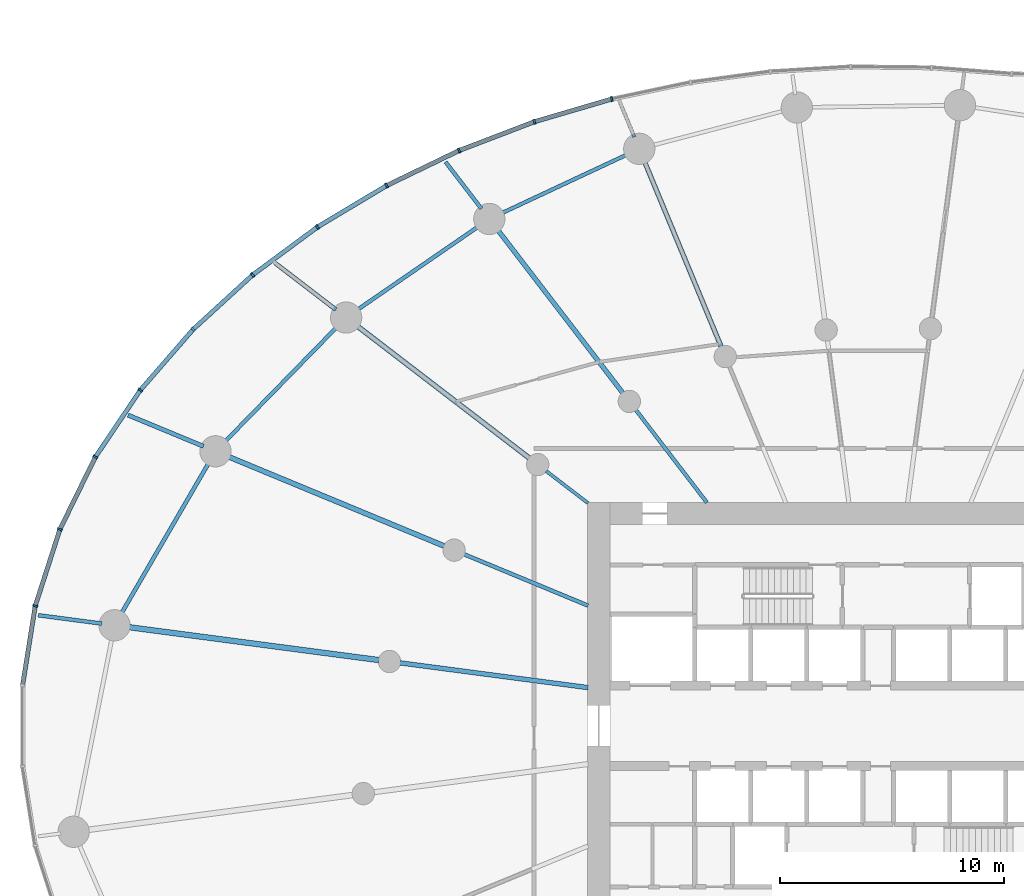
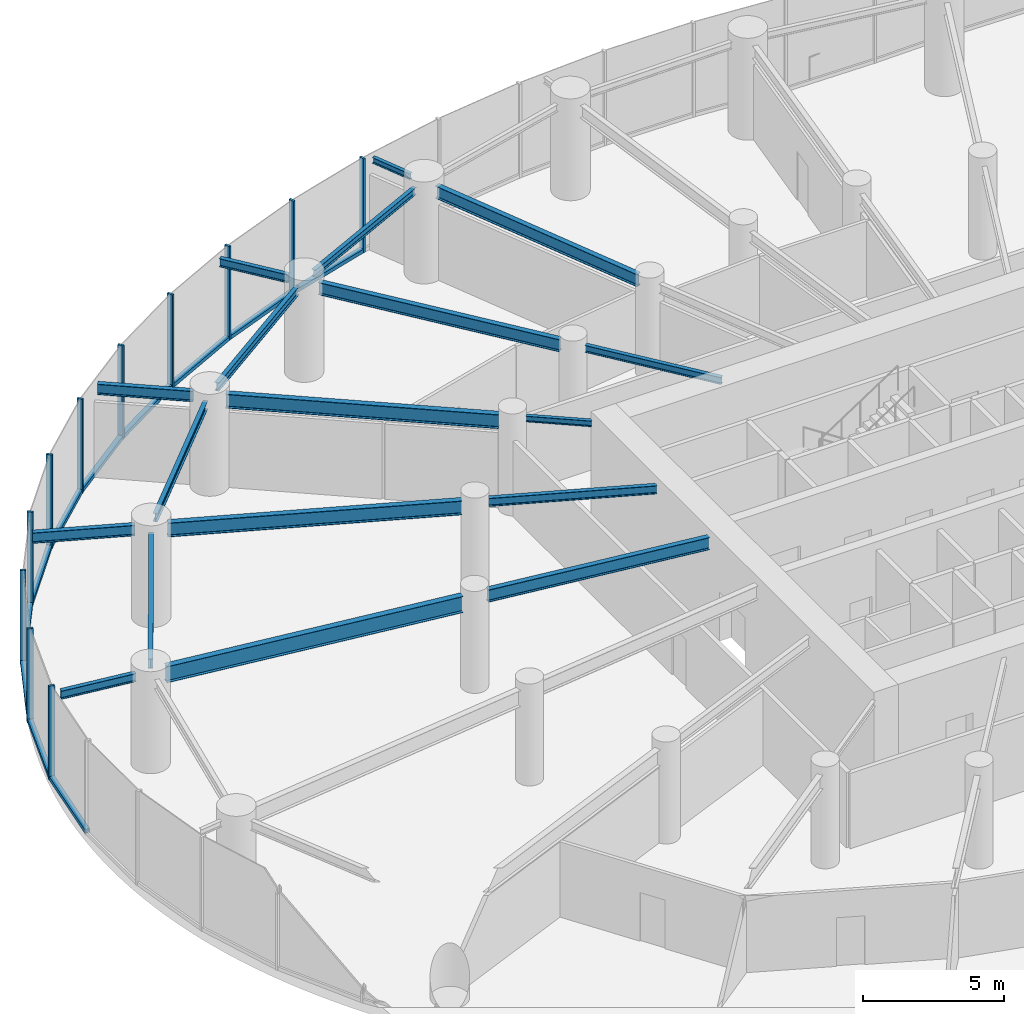
# One storey, part 4 of 19: 22 members, 18 beams, 3 elements without a shape of their own.
"""IFC4 building model written with IfcOpenShell, lengths in metres."""

from ifc_helpers import new_model, si_unit, direction, frame, origin, origin_2d, place, context, subcontext, project, spatial, rectangle, i_section, extrude, source, transform, mapped, material, layer, layer_set, material_profile, profile_set, type_object, element, aggregate, save


model = new_model("IFC4")

# Units and contexts
model_context = context("Model", 3, precision=1e-05, world=origin(), true_north=direction((0.0, 1.0)))
body_context = subcontext(model_context, "Body", "Model", "MODEL_VIEW")
ifc_project = project(units=[si_unit("LENGTHUNIT", "METRE"), si_unit("AREAUNIT", "SQUARE_METRE"), si_unit("VOLUMEUNIT", "CUBIC_METRE"), si_unit("PLANEANGLEUNIT", "RADIAN"), si_unit("MASSUNIT", "GRAM", prefix="KILO")], contexts=[model_context])

# Site, building, storey
site_placement = place(None, origin())
site = spatial("IfcSite", under=ifc_project, at=site_placement, CompositionType="ELEMENT")
building_placement = place(site_placement, origin())
building = spatial("IfcBuilding", under=site, at=building_placement, Name="Spindrift Exchange Tower", CompositionType="ELEMENT")
storey_placement = place(building_placement, frame((0.0, 0.0, 13.800048828125)))
storey = spatial("IfcBuildingStorey", under=building, at=storey_placement, Name="L03", CompositionType="ELEMENT", Elevation=13.800048828125)

# Beams
ifc_material_1 = material(Name="Steel Grade 300", Category="steel")
ifc_material_profile_1 = material_profile(ifc_material_1, i_section(OverallWidth=0.208984375, OverallDepth=0.532958984375, WebThickness=0.01025390625, FlangeThickness=0.015625, FilletRadius=0.013916015625, at=origin_2d()), Name="530UB92.4")
ifc_profile_set_1 = profile_set([ifc_material_profile_1], Name="Steel Grade 300")
beam_type_1 = type_object("IfcBeamType", Name="Floor Beam 530UB92.4 Steel Grade 300", PredefinedType="BEAM", material=ifc_profile_set_1)
shared_shape_1 = source(origin(), body_context, "Body", "SweptSolid", [
    extrude(i_section(OverallWidth=0.208984375, OverallDepth=0.532958984375, WebThickness=0.01025390625, FlangeThickness=0.015625, FilletRadius=0.013916015625, at=origin_2d()), origin(), (0.0, 0.0, 1.0), 8.99658203125),
])
beam_1_placement = place(storey_placement, frame((44.974609375, 64.9609375, 3.783447265625), z_axis=(-0.382685731718, 0.923878580085, 0.0), x_axis=(-0.923878580085, -0.382685731718, 0.0)))
element("IfcBeam", 1, at=beam_1_placement, inside=storey, type_object=beam_type_1, Name="L03 radial beam R08B", PredefinedType="BEAM", context=body_context, shape_type="MappedRepresentation", body=[
    mapped(shared_shape_1, transform((0.0, 0.0, 0.0), scale=1.0)),
])
ifc_material_profile_2 = material_profile(ifc_material_1, i_section(OverallWidth=0.14599609375, OverallDepth=0.251953125, WebThickness=0.006103515625, FlangeThickness=0.008544921875, FilletRadius=0.011962890625, at=origin_2d()), Name="250UB31.4")
ifc_profile_set_2 = profile_set([ifc_material_profile_2], Name="Steel Grade 300")
beam_type_2 = type_object("IfcBeamType", Name="Cantilever Beam 250UB31.4 Steel Grade 300", PredefinedType="BEAM", material=ifc_profile_set_2)
shared_shape_2 = source(origin(), body_context, "Body", "SweptSolid", [
    extrude(i_section(OverallWidth=0.14599609375, OverallDepth=0.251953125, WebThickness=0.006103515625, FlangeThickness=0.008544921875, FilletRadius=0.011962890625, at=origin_2d()), origin(), (0.0, 0.0, 1.0), 1.677978515625),
])
beam_2_placement = place(storey_placement, frame((41.087890625, 74.344482421875, 3.924072265625), z_axis=(-0.382775805905, 0.923841264728, 0.0), x_axis=(-0.923841264728, -0.382775805905, 0.0)))
element("IfcBeam", 2, at=beam_2_placement, inside=storey, type_object=beam_type_2, Name="L03 cantilever beam R08T", PredefinedType="BEAM", context=body_context, shape_type="MappedRepresentation", body=[
    mapped(shared_shape_2, transform((0.0, 0.0, 0.0), scale=1.0)),
])
ifc_material_profile_3 = material_profile(ifc_material_1, i_section(OverallWidth=0.1650390625, OverallDepth=0.303955078125, WebThickness=0.006103515625, FlangeThickness=0.01025390625, FilletRadius=0.011474609375, at=origin_2d()), Name="310UB40.4")
ifc_profile_set_3 = profile_set([ifc_material_profile_3], Name="Steel Grade 300")
beam_type_3 = type_object("IfcBeamType", Name="Floor Beam 310UB40.4 Steel Grade 300", PredefinedType="BEAM", material=ifc_profile_set_3)
shared_shape_3 = source(origin(), body_context, "Body", "SweptSolid", [
    extrude(i_section(OverallWidth=0.1650390625, OverallDepth=0.303955078125, WebThickness=0.006103515625, FlangeThickness=0.01025390625, FilletRadius=0.011474609375, at=origin_2d()), origin(), (0.0, 0.0, 1.0), 5.224609375),
])
beam_3_placement = place(storey_placement, frame((44.3388671875, 57.984130859375, 3.89794921875), z_axis=(-0.608741499316, 0.793368632485, 0.0), x_axis=(-0.793368632485, -0.608741499316, 0.0)))
element("IfcBeam", 3, at=beam_3_placement, inside=storey, type_object=beam_type_3, Name="L03 radial beam R09A", PredefinedType="BEAM", context=body_context, shape_type="MappedRepresentation", body=[
    mapped(shared_shape_3, transform((0.0, 0.0, 0.0), scale=1.0)),
])
shared_shape_4 = source(origin(), body_context, "Body", "SweptSolid", [
    extrude(i_section(OverallWidth=0.208984375, OverallDepth=0.532958984375, WebThickness=0.01025390625, FlangeThickness=0.015625, FilletRadius=0.013916015625, at=origin_2d()), origin(), (0.0, 0.0, 1.0), 9.227783203125),
])
beam_4_placement = place(storey_placement, frame((40.573974609375, 62.890625, 3.783447265625), z_axis=(-0.608747534474, 0.79336400175, 0.0), x_axis=(-0.79336400175, -0.608747534474, 0.0)))
element("IfcBeam", 4, at=beam_4_placement, inside=storey, type_object=beam_type_1, Name="L03 radial beam R09B", PredefinedType="BEAM", context=body_context, shape_type="MappedRepresentation", body=[
    mapped(shared_shape_4, transform((0.0, 0.0, 0.0), scale=1.0)),
])
ifc_material_profile_4 = material_profile(ifc_material_1, i_section(OverallWidth=0.14599609375, OverallDepth=0.251953125, WebThickness=0.006103515625, FlangeThickness=0.008544921875, FilletRadius=0.011962890625, at=origin_2d()), Name="250UB31.4")
ifc_profile_set_4 = profile_set([ifc_material_profile_4], Name="Steel Grade 300")
beam_type_4 = type_object("IfcBeamType", Name="Floor Beam 250UB31.4 Steel Grade 300", PredefinedType="BEAM", material=ifc_profile_set_4)
shared_shape_5 = source(origin(), body_context, "Body", "SweptSolid", [
    extrude(i_section(OverallWidth=0.14599609375, OverallDepth=0.251953125, WebThickness=0.006103515625, FlangeThickness=0.008544921875, FilletRadius=0.011962890625, at=origin_2d()), origin(), (0.0, 0.0, 1.0), 2.353759765625),
])
beam_5_placement = place(storey_placement, frame((39.015869140625, 57.963134765625, 3.924072265625), z_axis=(-0.793367573265, 0.608742879787, 0.0), x_axis=(-0.608742879787, -0.793367573265, 0.0)))
element("IfcBeam", 5, at=beam_5_placement, inside=storey, type_object=beam_type_4, Name="L03 radial beam R10A", PredefinedType="BEAM", context=body_context, shape_type="MappedRepresentation", body=[
    mapped(shared_shape_5, transform((0.0, 0.0, 0.0), scale=1.0)),
])
ifc_material_profile_5 = material_profile(ifc_material_1, i_section(OverallWidth=0.22802734375, OverallDepth=0.60693359375, WebThickness=0.01123046875, FlangeThickness=0.017333984375, FilletRadius=0.013916015625, at=origin_2d()), Name="610UB113")
ifc_profile_set_5 = profile_set([ifc_material_profile_5], Name="Steel Grade 300")
beam_type_5 = type_object("IfcBeamType", Name="Floor Beam 610UB113 Steel Grade 300", PredefinedType="BEAM", material=ifc_profile_set_5)
shared_shape_6 = source(origin(), body_context, "Body", "SweptSolid", [
    extrude(i_section(OverallWidth=0.22802734375, OverallDepth=0.60693359375, WebThickness=0.01123046875, FlangeThickness=0.017333984375, FilletRadius=0.013916015625, at=origin_2d()), origin(), (0.0, 0.0, 1.0), 9.73974609375),
])
beam_6_placement = place(storey_placement, frame((36.38671875, 59.98046875, 3.746337890625), z_axis=(-0.793352119621, 0.608763019814, 0.0), x_axis=(-0.608763019814, -0.793352119621, 0.0)))
element("IfcBeam", 6, at=beam_6_placement, inside=storey, type_object=beam_type_5, Name="L03 radial beam R10B", PredefinedType="BEAM", context=body_context, shape_type="MappedRepresentation", body=[
    mapped(shared_shape_6, transform((0.0, 0.0, 0.0), scale=1.0)),
])
ifc_material_profile_6 = material_profile(ifc_material_1, i_section(OverallWidth=0.172119140625, OverallDepth=0.35888671875, WebThickness=0.008056640625, FlangeThickness=0.012939453125, FilletRadius=0.013916015625, at=origin_2d()), Name="360UB56.7")
ifc_profile_set_6 = profile_set([ifc_material_profile_6], Name="Steel Grade 300")
beam_type_6 = type_object("IfcBeamType", Name="Floor Beam 360UB56.7 Steel Grade 300", PredefinedType="BEAM", material=ifc_profile_set_6)
shared_shape_7 = source(origin(), body_context, "Body", "SweptSolid", [
    extrude(i_section(OverallWidth=0.172119140625, OverallDepth=0.35888671875, WebThickness=0.008056640625, FlangeThickness=0.012939453125, FilletRadius=0.013916015625, at=origin_2d()), origin(), (0.0, 0.0, 1.0), 6.004638671875),
])
beam_7_placement = place(storey_placement, frame((39.0185546875, 53.377197265625, 3.870361328125), z_axis=(-0.923882044911, 0.38267736684, 0.0), x_axis=(-0.38267736684, -0.923882044911, 0.0)))
element("IfcBeam", 7, at=beam_7_placement, inside=storey, type_object=beam_type_6, Name="L03 radial beam R11A", PredefinedType="BEAM", context=body_context, shape_type="MappedRepresentation", body=[
    mapped(shared_shape_7, transform((0.0, 0.0, 0.0), scale=1.0)),
])
shared_shape_8 = source(origin(), body_context, "Body", "SweptSolid", [
    extrude(i_section(OverallWidth=0.22802734375, OverallDepth=0.60693359375, WebThickness=0.01123046875, FlangeThickness=0.017333984375, FilletRadius=0.013916015625, at=origin_2d()), origin(), (0.0, 0.0, 1.0), 10.4912109375),
])
beam_8_placement = place(storey_placement, frame((32.583984375, 56.04248046875, 3.746337890625), z_axis=(-0.923885231151, 0.382669674342, 0.0), x_axis=(-0.382669674342, -0.923885231151, 0.0)))
element("IfcBeam", 8, at=beam_8_placement, inside=storey, type_object=beam_type_5, Name="L03 radial beam R11B", PredefinedType="BEAM", context=body_context, shape_type="MappedRepresentation", body=[
    mapped(shared_shape_8, transform((0.0, 0.0, 0.0), scale=1.0)),
])
shared_shape_9 = source(origin(), body_context, "Body", "SweptSolid", [
    extrude(i_section(OverallWidth=0.208984375, OverallDepth=0.532958984375, WebThickness=0.01025390625, FlangeThickness=0.015625, FilletRadius=0.013916015625, at=origin_2d()), origin(), (0.0, 0.0, 1.0), 8.4794921875),
])
beam_9_placement = place(storey_placement, frame((39.019775390625, 49.708984375, 3.783447265625), z_axis=(-0.991446551951, 0.13051335037, 0.0), x_axis=(-0.13051335037, -0.991446551951, 0.0)))
element("IfcBeam", 9, at=beam_9_placement, inside=storey, type_object=beam_type_1, Name="L03 radial beam R12A", PredefinedType="BEAM", context=body_context, shape_type="MappedRepresentation", body=[
    mapped(shared_shape_9, transform((0.0, 0.0, 0.0), scale=1.0)),
])
ifc_material_profile_7 = material_profile(ifc_material_1, i_section(OverallWidth=0.25, OverallDepth=0.699951171875, WebThickness=0.008056640625, FlangeThickness=0.011962890625, at=origin_2d()), Name="700WB115")
ifc_profile_set_7 = profile_set([ifc_material_profile_7], Name="Steel Grade 300")
beam_type_7 = type_object("IfcBeamType", Name="Floor Beam 700WB115 Steel Grade 300", PredefinedType="BEAM", material=ifc_profile_set_7)
shared_shape_10 = source(origin(), body_context, "Body", "SweptSolid", [
    extrude(i_section(OverallWidth=0.25, OverallDepth=0.699951171875, WebThickness=0.008056640625, FlangeThickness=0.011962890625, at=origin_2d()), origin(), (0.0, 0.0, 1.0), 11.34423828125),
])
beam_10_placement = place(storey_placement, frame((29.660888671875, 50.94091796875, 3.699951171875), z_axis=(-0.991444770187, 0.130526884848, 0.0), x_axis=(-0.130526884848, -0.991444770187, 0.0)))
element("IfcBeam", 10, at=beam_10_placement, inside=storey, type_object=beam_type_7, Name="L03 radial beam R12B", PredefinedType="BEAM", context=body_context, shape_type="MappedRepresentation", body=[
    mapped(shared_shape_10, transform((0.0, 0.0, 0.0), scale=1.0)),
])
ifc_material_profile_8 = material_profile(ifc_material_1, i_section(OverallWidth=0.1650390625, OverallDepth=0.303955078125, WebThickness=0.006103515625, FlangeThickness=0.01025390625, FilletRadius=0.011474609375, at=origin_2d()), Name="310UB40.4")
ifc_profile_set_8 = profile_set([ifc_material_profile_8], Name="Steel Grade 300")
beam_type_8 = type_object("IfcBeamType", Name="Edge Beam 310UB40.4 Steel Grade 300", PredefinedType="SPANDREL", material=ifc_profile_set_8)
shared_shape_11 = source(origin(), body_context, "Body", "SweptSolid", [
    extrude(i_section(OverallWidth=0.1650390625, OverallDepth=0.303955078125, WebThickness=0.006103515625, FlangeThickness=0.01025390625, FilletRadius=0.011474609375, at=origin_2d()), origin(), (0.0, 0.0, 1.0), 6.243408203125),
])
beam_11_placement = place(storey_placement, frame((40.7841796875, 73.56298828125, 3.89794921875), z_axis=(-0.905791146607, -0.423724437257, 0.0), x_axis=(0.423724437257, -0.905791146607, 0.0)))
element("IfcBeam", 11, at=beam_11_placement, inside=storey, type_object=beam_type_8, Name="L03 edge beam E08", PredefinedType="SPANDREL", context=body_context, shape_type="MappedRepresentation", body=[
    mapped(shared_shape_11, transform((0.0, 0.0, 0.0), scale=1.0)),
])
ifc_material_profile_9 = material_profile(ifc_material_1, i_section(OverallWidth=0.172119140625, OverallDepth=0.35888671875, WebThickness=0.008056640625, FlangeThickness=0.012939453125, FilletRadius=0.013916015625, at=origin_2d()), Name="360UB56.7")
ifc_profile_set_9 = profile_set([ifc_material_profile_9], Name="Steel Grade 300")
beam_type_9 = type_object("IfcBeamType", Name="Edge Beam 360UB56.7 Steel Grade 300", PredefinedType="SPANDREL", material=ifc_profile_set_9)
shared_shape_12 = source(origin(), body_context, "Body", "SweptSolid", [
    extrude(i_section(OverallWidth=0.172119140625, OverallDepth=0.35888671875, WebThickness=0.008056640625, FlangeThickness=0.012939453125, FilletRadius=0.013916015625, at=origin_2d()), origin(), (0.0, 0.0, 1.0), 6.614990234375),
])
beam_12_placement = place(storey_placement, frame((34.125732421875, 70.3427734375, 3.870361328125), z_axis=(-0.823690708835, -0.567039342708, 0.0), x_axis=(0.567039342708, -0.823690708835, 0.0)))
element("IfcBeam", 12, at=beam_12_placement, inside=storey, type_object=beam_type_9, Name="L03 edge beam E09", PredefinedType="SPANDREL", context=body_context, shape_type="MappedRepresentation", body=[
    mapped(shared_shape_12, transform((0.0, 0.0, 0.0), scale=1.0)),
])
shared_shape_13 = source(origin(), body_context, "Body", "SweptSolid", [
    extrude(i_section(OverallWidth=0.172119140625, OverallDepth=0.35888671875, WebThickness=0.008056640625, FlangeThickness=0.012939453125, FilletRadius=0.013916015625, at=origin_2d()), origin(), (0.0, 0.0, 1.0), 7.2041015625),
])
beam_13_placement = place(storey_placement, frame((27.794189453125, 65.847900390625, 3.870361328125), z_axis=(-0.698703626006, -0.715411240481, 0.0), x_axis=(0.715411240481, -0.698703626006, 0.0)))
element("IfcBeam", 13, at=beam_13_placement, inside=storey, type_object=beam_type_9, Name="L03 edge beam E10", PredefinedType="SPANDREL", context=body_context, shape_type="MappedRepresentation", body=[
    mapped(shared_shape_13, transform((0.0, 0.0, 0.0), scale=1.0)),
])
ifc_material_profile_10 = material_profile(ifc_material_1, i_section(OverallWidth=0.177978515625, OverallDepth=0.406005859375, WebThickness=0.0078125, FlangeThickness=0.0126953125, FilletRadius=0.013916015625, at=origin_2d()), Name="410UB59.7")
ifc_profile_set_10 = profile_set([ifc_material_profile_10], Name="Steel Grade 300")
beam_type_10 = type_object("IfcBeamType", Name="Edge Beam 410UB59.7 Steel Grade 300", PredefinedType="SPANDREL", material=ifc_profile_set_10)
shared_shape_14 = source(origin(), body_context, "Body", "SweptSolid", [
    extrude(i_section(OverallWidth=0.177978515625, OverallDepth=0.406005859375, WebThickness=0.0078125, FlangeThickness=0.0126953125, FilletRadius=0.013916015625, at=origin_2d()), origin(), (0.0, 0.0, 1.0), 7.837646484375),
])
beam_14_placement = place(storey_placement, frame((22.064208984375, 59.777587890625, 3.846923828125), z_axis=(-0.50198145655, -0.864878382942, 0.0), x_axis=(0.864878382942, -0.50198145655, 0.0)))
element("IfcBeam", 14, at=beam_14_placement, inside=storey, type_object=beam_type_10, Name="L03 edge beam E11", PredefinedType="SPANDREL", context=body_context, shape_type="MappedRepresentation", body=[
    mapped(shared_shape_14, transform((0.0, 0.0, 0.0), scale=1.0)),
])
ifc_material_profile_11 = material_profile(ifc_material_1, i_section(OverallWidth=0.172119140625, OverallDepth=0.35888671875, WebThickness=0.008056640625, FlangeThickness=0.012939453125, FilletRadius=0.013916015625, at=origin_2d()), Name="360UB56.7")
ifc_profile_set_11 = profile_set([ifc_material_profile_11], Name="Steel Grade 300")
beam_type_11 = type_object("IfcBeamType", Name="Cantilever Beam 360UB56.7 Steel Grade 300", PredefinedType="BEAM", material=ifc_profile_set_11)
shared_shape_15 = source(origin(), body_context, "Body", "SweptSolid", [
    extrude(i_section(OverallWidth=0.172119140625, OverallDepth=0.35888671875, WebThickness=0.008056640625, FlangeThickness=0.012939453125, FilletRadius=0.013916015625, at=origin_2d()), origin(), (0.0, 0.0, 1.0), 2.634521484375),
])
beam_15_placement = place(storey_placement, frame((34.250244140625, 71.1318359375, 3.870361328125), z_axis=(-0.608756392713, 0.793357204752, 0.0), x_axis=(-0.793357204752, -0.608756392713, 0.0)))
element("IfcBeam", 15, at=beam_15_placement, inside=storey, type_object=beam_type_11, Name="L03 cantilever beam R09T", PredefinedType="BEAM", context=body_context, shape_type="MappedRepresentation", body=[
    mapped(shared_shape_15, transform((0.0, 0.0, 0.0), scale=1.0)),
])
ifc_material_profile_12 = material_profile(ifc_material_1, i_section(OverallWidth=0.18994140625, OverallDepth=0.45703125, WebThickness=0.009033203125, FlangeThickness=0.014404296875, FilletRadius=0.013916015625, at=origin_2d()), Name="460UB74.6")
ifc_profile_set_12 = profile_set([ifc_material_profile_12], Name="Steel Grade 300")
beam_type_12 = type_object("IfcBeamType", Name="Cantilever Beam 460UB74.6 Steel Grade 300", PredefinedType="BEAM", material=ifc_profile_set_12)
shared_shape_16 = source(origin(), body_context, "Body", "SweptSolid", [
    extrude(i_section(OverallWidth=0.18994140625, OverallDepth=0.45703125, WebThickness=0.009033203125, FlangeThickness=0.014404296875, FilletRadius=0.013916015625, at=origin_2d()), origin(), (0.0, 0.0, 1.0), 3.4130859375),
])
beam_16_placement = place(storey_placement, frame((27.7392578125, 66.615966796875, 3.821533203125), z_axis=(-0.793367975239, 0.608742355899, 0.0), x_axis=(-0.608742355899, -0.793367975239, 0.0)))
element("IfcBeam", 16, at=beam_16_placement, inside=storey, type_object=beam_type_12, Name="L03 cantilever beam R10T", PredefinedType="BEAM", context=body_context, shape_type="MappedRepresentation", body=[
    mapped(shared_shape_16, transform((0.0, 0.0, 0.0), scale=1.0)),
])
shared_shape_17 = source(origin(), body_context, "Body", "SweptSolid", [
    extrude(i_section(OverallWidth=0.18994140625, OverallDepth=0.45703125, WebThickness=0.009033203125, FlangeThickness=0.014404296875, FilletRadius=0.013916015625, at=origin_2d()), origin(), (0.0, 0.0, 1.0), 3.650390625),
])
beam_17_placement = place(storey_placement, frame((21.819580078125, 60.501220703125, 3.821533203125), z_axis=(-0.923878259205, 0.382686506383, 0.0), x_axis=(-0.382686506383, -0.923878259205, 0.0)))
element("IfcBeam", 17, at=beam_17_placement, inside=storey, type_object=beam_type_12, Name="L03 cantilever beam R11T", PredefinedType="BEAM", context=body_context, shape_type="MappedRepresentation", body=[
    mapped(shared_shape_17, transform((0.0, 0.0, 0.0), scale=1.0)),
])
shared_shape_18 = source(origin(), body_context, "Body", "SweptSolid", [
    extrude(i_section(OverallWidth=0.172119140625, OverallDepth=0.35888671875, WebThickness=0.008056640625, FlangeThickness=0.012939453125, FilletRadius=0.013916015625, at=origin_2d()), origin(), (0.0, 0.0, 1.0), 2.85888671875),
])
beam_18_placement = place(storey_placement, frame((17.263916015625, 52.572998046875, 3.870361328125), z_axis=(-0.99143917468, 0.13056937968, 0.0), x_axis=(-0.13056937968, -0.99143917468, 0.0)))
element("IfcBeam", 18, at=beam_18_placement, inside=storey, type_object=beam_type_11, Name="L03 cantilever beam R12T", PredefinedType="BEAM", context=body_context, shape_type="MappedRepresentation", body=[
    mapped(shared_shape_18, transform((0.0, 0.0, 0.0), scale=1.0)),
])

# Curtain wall, member
ifc_material_2 = material(Name="Fritted laminated glass with bronze frame", Category="glass")
ifc_layer = layer(ifc_material_2, 0.219970703125)
ifc_layer_set = layer_set([ifc_layer], Name="PODIUM BRONZE GLAZED WALL")
curtain_wall_type = type_object("IfcCurtainWallType", Name="PODIUM BRONZE GLAZED WALL", PredefinedType="NOTDEFINED", material=ifc_layer_set)
curtain_wall_1_placement = place(storey_placement, origin())
curtain_wall_1 = element("IfcCurtainWall", 19, at=curtain_wall_1_placement, inside=storey, type_object=curtain_wall_type, Name="L03 Podium Bronze Glazed Wall run 6", PredefinedType="NOTDEFINED")
ifc_material_3 = material(Name="Bronze anodised aluminium", Category="aluminium")
ifc_material_profile_13 = material_profile(ifc_material_3, rectangle(XDim=0.199951171875, YDim=0.159912109375, at=origin_2d()), Name="PODIUM BRONZE GLAZED WALL TRANSOM 200X160")
ifc_profile_set_13 = profile_set([ifc_material_profile_13], Name="Bronze anodised aluminium")
member_type_1 = type_object("IfcMemberType", Name="PODIUM BRONZE GLAZED WALL TRANSOM 200X160", PredefinedType="USERDEFINED", material=ifc_profile_set_13)
shared_shape_19 = source(origin(), body_context, "Body", "SweptSolid", [
    extrude(rectangle(XDim=0.199951171875, YDim=0.159912109375, at=origin_2d()), origin(), (0.0, 0.0, 1.0), 3.5126953125),
])
member_1_placement = place(storey_placement, frame((14.281982421875, 53.31494140625, 0.079833984375), z_axis=(-0.156933258067, -0.987609210423, 0.0), x_axis=(0.987609210423, -0.156933258067, 0.0)))
member_1 = element("IfcMember", 20, at=member_1_placement, type_object=member_type_1, Name="L03 transom CW-P.31", ObjectType="TRANSOM", PredefinedType="USERDEFINED", context=body_context, shape_type="MappedRepresentation", body=[
    mapped(shared_shape_19, transform((0.0, 0.0, 0.0), scale=1.0)),
])

curtain_wall_2_placement = place(storey_placement, origin())
curtain_wall_2 = element("IfcCurtainWall", 21, at=curtain_wall_2_placement, inside=storey, type_object=curtain_wall_type, Name="L03 Podium Bronze Glazed Wall run 5", PredefinedType="NOTDEFINED")
shared_shape_20 = source(origin(), body_context, "Body", "SweptSolid", [
    extrude(rectangle(XDim=0.199951171875, YDim=0.159912109375, at=origin_2d()), origin(), (0.0, 0.0, 1.0), 3.512939453125),
])
member_2_placement = place(storey_placement, frame((15.380126953125, 56.74609375, 0.079833984375), z_axis=(-0.306683973854, -0.95181139948, 0.0), x_axis=(0.95181139948, -0.306683973854, 0.0)))
member_2 = element("IfcMember", 22, at=member_2_placement, type_object=member_type_1, Name="L03 transom CW-P.30", ObjectType="TRANSOM", PredefinedType="USERDEFINED", context=body_context, shape_type="MappedRepresentation", body=[
    mapped(shared_shape_20, transform((0.0, 0.0, 0.0), scale=1.0)),
])

# Curtain wall, members
curtain_wall_3_placement = place(storey_placement, origin())
curtain_wall_3 = element("IfcCurtainWall", 23, at=curtain_wall_3_placement, inside=storey, type_object=curtain_wall_type, Name="L03 Podium Bronze Glazed Wall run 4", PredefinedType="NOTDEFINED")
ifc_material_profile_14 = material_profile(ifc_material_3, rectangle(XDim=0.090087890625, YDim=0.219970703125, at=origin_2d()), Name="PODIUM BRONZE GLAZED WALL MULLION 90X220")
ifc_profile_set_14 = profile_set([ifc_material_profile_14], Name="Bronze anodised aluminium")
member_type_2 = type_object("IfcMemberType", Name="PODIUM BRONZE GLAZED WALL MULLION 90X220", PredefinedType="MULLION", material=ifc_profile_set_14)
shared_shape_21 = source(origin(), body_context, "Body", "SweptSolid", [
    extrude(rectangle(XDim=0.090087890625, YDim=0.219970703125, at=origin_2d()), origin(), (0.0, 0.0, 1.0), 4.050048828125),
])
member_3_placement = place(storey_placement, frame((40.07958984375, 76.038818359375, 0.0), z_axis=(0.0, 0.0, 1.0), x_axis=(-0.969661415533, -0.244451915982, 0.0)))
member_3 = element("IfcMember", 24, at=member_3_placement, type_object=member_type_2, Name="L03 mullion CW-P.21", PredefinedType="MULLION", context=body_context, shape_type="MappedRepresentation", body=[
    mapped(shared_shape_21, transform((0.0, 0.0, 0.0), scale=1.0)),
])
member_4_placement = place(storey_placement, frame((36.6201171875, 75.02294921875, 0.0), z_axis=(0.0, 0.0, 1.0), x_axis=(-0.947494000715, -0.319773542697, 0.0)))
member_4 = element("IfcMember", 25, at=member_4_placement, type_object=member_type_2, Name="L03 mullion CW-P.22", PredefinedType="MULLION", context=body_context, shape_type="MappedRepresentation", body=[
    mapped(shared_shape_21, transform((0.0, 0.0, 0.0), scale=1.0)),
])
member_5_placement = place(storey_placement, frame((33.252685546875, 73.734619140625, 0.0), z_axis=(0.0, 0.0, 1.0), x_axis=(-0.917989961292, -0.396603619458, 0.0)))
member_5 = element("IfcMember", 26, at=member_5_placement, type_object=member_type_2, Name="L03 mullion CW-P.23", PredefinedType="MULLION", context=body_context, shape_type="MappedRepresentation", body=[
    mapped(shared_shape_21, transform((0.0, 0.0, 0.0), scale=1.0)),
])
member_6_placement = place(storey_placement, frame((30.006591796875, 72.16552734375, 0.0), z_axis=(0.0, 0.0, 1.0), x_axis=(-0.879912973323, -0.475134885457, 0.0)))
member_6 = element("IfcMember", 27, at=member_6_placement, type_object=member_type_2, Name="L03 mullion CW-P.24", PredefinedType="MULLION", context=body_context, shape_type="MappedRepresentation", body=[
    mapped(shared_shape_21, transform((0.0, 0.0, 0.0), scale=1.0)),
])

# Member
member_7_placement = place(storey_placement, frame((26.914306640625, 70.31201171875, 0.0), z_axis=(0.0, 0.0, 1.0), x_axis=(-0.831908061983, -0.554913485516, 0.0)))
member_7 = element("IfcMember", 28, at=member_7_placement, type_object=member_type_2, Name="L03 mullion CW-P.25", PredefinedType="MULLION", context=body_context, shape_type="MappedRepresentation", body=[
    mapped(shared_shape_21, transform((0.0, 0.0, 0.0), scale=1.0)),
])

member_8_placement = place(storey_placement, frame((24.01513671875, 68.169189453125, 0.0), z_axis=(0.0, 0.0, 1.0), x_axis=(-0.772036393712, -0.635578324666, 0.0)))
member_8 = element("IfcMember", 29, at=member_8_placement, type_object=member_type_2, Name="L03 mullion CW-P.26", PredefinedType="MULLION", context=body_context, shape_type="MappedRepresentation", body=[
    mapped(shared_shape_21, transform((0.0, 0.0, 0.0), scale=1.0)),
])

member_9_placement = place(storey_placement, frame((21.355712890625, 65.73583984375, 0.0), z_axis=(0.0, 0.0, 1.0), x_axis=(-0.697980272819, -0.71611698678, 0.0)))
member_9 = element("IfcMember", 30, at=member_9_placement, type_object=member_type_2, Name="L03 mullion CW-P.27", PredefinedType="MULLION", context=body_context, shape_type="MappedRepresentation", body=[
    mapped(shared_shape_21, transform((0.0, 0.0, 0.0), scale=1.0)),
])

member_10_placement = place(storey_placement, frame((18.99169921875, 63.01513671875, 0.0), z_axis=(0.0, 0.0, 1.0), x_axis=(-0.608070272939, -0.793883204992, 0.0)))
member_10 = element("IfcMember", 31, at=member_10_placement, type_object=member_type_2, Name="L03 mullion CW-P.28", PredefinedType="MULLION", context=body_context, shape_type="MappedRepresentation", body=[
    mapped(shared_shape_21, transform((0.0, 0.0, 0.0), scale=1.0)),
])

member_11_placement = place(storey_placement, frame((16.980712890625, 60.0244140625, 0.0), z_axis=(0.0, 0.0, 1.0), x_axis=(-0.500299836038, -0.865852224147, 0.0)))
member_11 = element("IfcMember", 32, at=member_11_placement, type_object=member_type_2, Name="L03 mullion CW-P.29", PredefinedType="MULLION", context=body_context, shape_type="MappedRepresentation", body=[
    mapped(shared_shape_21, transform((0.0, 0.0, 0.0), scale=1.0)),
])

member_12_placement = place(storey_placement, frame((15.39404296875, 56.788818359375, 0.0), z_axis=(0.0, 0.0, 1.0), x_axis=(-0.374483466546, -0.927233591542, 0.0)))
member_12 = element("IfcMember", 33, at=member_12_placement, type_object=member_type_2, Name="L03 mullion CW-P.30", PredefinedType="MULLION", context=body_context, shape_type="MappedRepresentation", body=[
    mapped(shared_shape_21, transform((0.0, 0.0, 0.0), scale=1.0)),
])

member_13_placement = place(storey_placement, frame((14.2890625, 53.359375, 0.0), z_axis=(0.0, 0.0, 1.0), x_axis=(-0.232483788689, -0.972600271436, 0.0)))
member_13 = element("IfcMember", 34, at=member_13_placement, type_object=member_type_2, Name="L03 mullion CW-P.31", PredefinedType="MULLION", context=body_context, shape_type="MappedRepresentation", body=[
    mapped(shared_shape_21, transform((0.0, 0.0, 0.0), scale=1.0)),
])

aggregate(curtain_wall_1, [member_13, member_1])

shared_shape_22 = source(origin(), body_context, "Body", "SweptSolid", [
    extrude(rectangle(XDim=0.199951171875, YDim=0.159912109375, at=origin_2d()), origin(), (0.0, 0.0, 1.0), 3.51416015625),
])
member_14_placement = place(storey_placement, frame((18.966552734375, 62.977783203125, 0.079833984375), z_axis=(-0.557950570799, -0.829874183563, 0.0), x_axis=(0.829874183563, -0.557950570799, 0.0)))
member_14 = element("IfcMember", 35, at=member_14_placement, type_object=member_type_1, Name="L03 transom CW-P.28", ObjectType="TRANSOM", PredefinedType="USERDEFINED", context=body_context, shape_type="MappedRepresentation", body=[
    mapped(shared_shape_22, transform((0.0, 0.0, 0.0), scale=1.0)),
])

shared_shape_23 = source(origin(), body_context, "Body", "SweptSolid", [
    extrude(rectangle(XDim=0.199951171875, YDim=0.159912109375, at=origin_2d()), origin(), (0.0, 0.0, 1.0), 3.5146484375),
])
member_15_placement = place(storey_placement, frame((23.98193359375, 68.138916015625, 0.079833984375), z_axis=(-0.737773760568, -0.675048056228, 0.0), x_axis=(0.675048056228, -0.737773760568, 0.0)))
member_15 = element("IfcMember", 36, at=member_15_placement, type_object=member_type_1, Name="L03 transom CW-P.26", ObjectType="TRANSOM", PredefinedType="USERDEFINED", context=body_context, shape_type="MappedRepresentation", body=[
    mapped(shared_shape_23, transform((0.0, 0.0, 0.0), scale=1.0)),
])

shared_shape_24 = source(origin(), body_context, "Body", "SweptSolid", [
    extrude(rectangle(XDim=0.199951171875, YDim=0.159912109375, at=origin_2d()), origin(), (0.0, 0.0, 1.0), 3.514892578125),
])
member_16_placement = place(storey_placement, frame((26.8779296875, 70.28515625, 0.079833984375), z_axis=(-0.80419779384, -0.59436176558, 0.0), x_axis=(0.59436176558, -0.80419779384, 0.0)))
member_16 = element("IfcMember", 37, at=member_16_placement, type_object=member_type_1, Name="L03 transom CW-P.25", ObjectType="TRANSOM", PredefinedType="USERDEFINED", context=body_context, shape_type="MappedRepresentation", body=[
    mapped(shared_shape_24, transform((0.0, 0.0, 0.0), scale=1.0)),
])

shared_shape_25 = source(origin(), body_context, "Body", "SweptSolid", [
    extrude(rectangle(XDim=0.199951171875, YDim=0.159912109375, at=origin_2d()), origin(), (0.0, 0.0, 1.0), 3.515380859375),
])
member_17_placement = place(storey_placement, frame((33.212158203125, 73.715087890625, 0.079833984375), z_axis=(-0.900347138789, -0.435172413734, 0.0), x_axis=(0.435172413734, -0.900347138789, 0.0)))
member_17 = element("IfcMember", 38, at=member_17_placement, type_object=member_type_1, Name="L03 transom CW-P.23", ObjectType="TRANSOM", PredefinedType="USERDEFINED", context=body_context, shape_type="MappedRepresentation", body=[
    mapped(shared_shape_25, transform((0.0, 0.0, 0.0), scale=1.0)),
])

member_18_placement = place(storey_placement, frame((29.968017578125, 72.142578125, 0.079833984375), z_axis=(-0.857707329103, -0.514138247559, 0.0), x_axis=(0.514138247559, -0.857707329103, 0.0)))
member_18 = element("IfcMember", 39, at=member_18_placement, type_object=member_type_1, Name="L03 transom CW-P.24", ObjectType="TRANSOM", PredefinedType="USERDEFINED", context=body_context, shape_type="MappedRepresentation", body=[
    mapped(shared_shape_25, transform((0.0, 0.0, 0.0), scale=1.0)),
])

shared_shape_26 = source(origin(), body_context, "Body", "SweptSolid", [
    extrude(rectangle(XDim=0.199951171875, YDim=0.159912109375, at=origin_2d()), origin(), (0.0, 0.0, 1.0), 3.513427734375),
])
member_19_placement = place(storey_placement, frame((16.9609375, 59.98388671875, 0.079833984375), z_axis=(-0.440335167598, -0.897833470181, 0.0), x_axis=(0.897833470181, -0.440335167598, 0.0)))
member_19 = element("IfcMember", 40, at=member_19_placement, type_object=member_type_1, Name="L03 transom CW-P.29", ObjectType="TRANSOM", PredefinedType="USERDEFINED", context=body_context, shape_type="MappedRepresentation", body=[
    mapped(shared_shape_26, transform((0.0, 0.0, 0.0), scale=1.0)),
])

shared_shape_27 = source(origin(), body_context, "Body", "SweptSolid", [
    extrude(rectangle(XDim=0.199951171875, YDim=0.159912109375, at=origin_2d()), origin(), (0.0, 0.0, 1.0), 3.515625),
])
member_20_placement = place(storey_placement, frame((40.03662109375, 76.026123046875, 0.079833984375), z_axis=(-0.959493672918, -0.281730175221, 0.0), x_axis=(0.281730175221, -0.959493672918, 0.0)))
member_20 = element("IfcMember", 41, at=member_20_placement, type_object=member_type_1, Name="L03 transom CW-P.21", ObjectType="TRANSOM", PredefinedType="USERDEFINED", context=body_context, shape_type="MappedRepresentation", body=[
    mapped(shared_shape_27, transform((0.0, 0.0, 0.0), scale=1.0)),
])

member_21_placement = place(storey_placement, frame((36.578125, 75.0068359375, 0.079833984375), z_axis=(-0.933988453325, -0.35730318926, 0.0), x_axis=(0.35730318926, -0.933988453325, 0.0)))
member_21 = element("IfcMember", 42, at=member_21_placement, type_object=member_type_1, Name="L03 transom CW-P.22", ObjectType="TRANSOM", PredefinedType="USERDEFINED", context=body_context, shape_type="MappedRepresentation", body=[
    mapped(shared_shape_27, transform((0.0, 0.0, 0.0), scale=1.0)),
])

aggregate(curtain_wall_3, [member_3, member_20, member_4, member_21, member_5, member_17, member_6, member_18])

shared_shape_28 = source(origin(), body_context, "Body", "SweptSolid", [
    extrude(rectangle(XDim=0.199951171875, YDim=0.159912109375, at=origin_2d()), origin(), (0.0, 0.0, 1.0), 3.514404296875),
])
member_22_placement = place(storey_placement, frame((21.326171875, 65.701904296875, 0.079833984375), z_axis=(-0.655913814963, -0.754835788328, 0.0), x_axis=(0.754835788328, -0.655913814963, 0.0)))
member_22 = element("IfcMember", 43, at=member_22_placement, type_object=member_type_1, Name="L03 transom CW-P.27", ObjectType="TRANSOM", PredefinedType="USERDEFINED", context=body_context, shape_type="MappedRepresentation", body=[
    mapped(shared_shape_28, transform((0.0, 0.0, 0.0), scale=1.0)),
])

aggregate(curtain_wall_2, [member_7, member_16, member_8, member_15, member_9, member_22, member_10, member_14, member_11, member_19, member_12, member_2])

save(model, "model.ifc")
